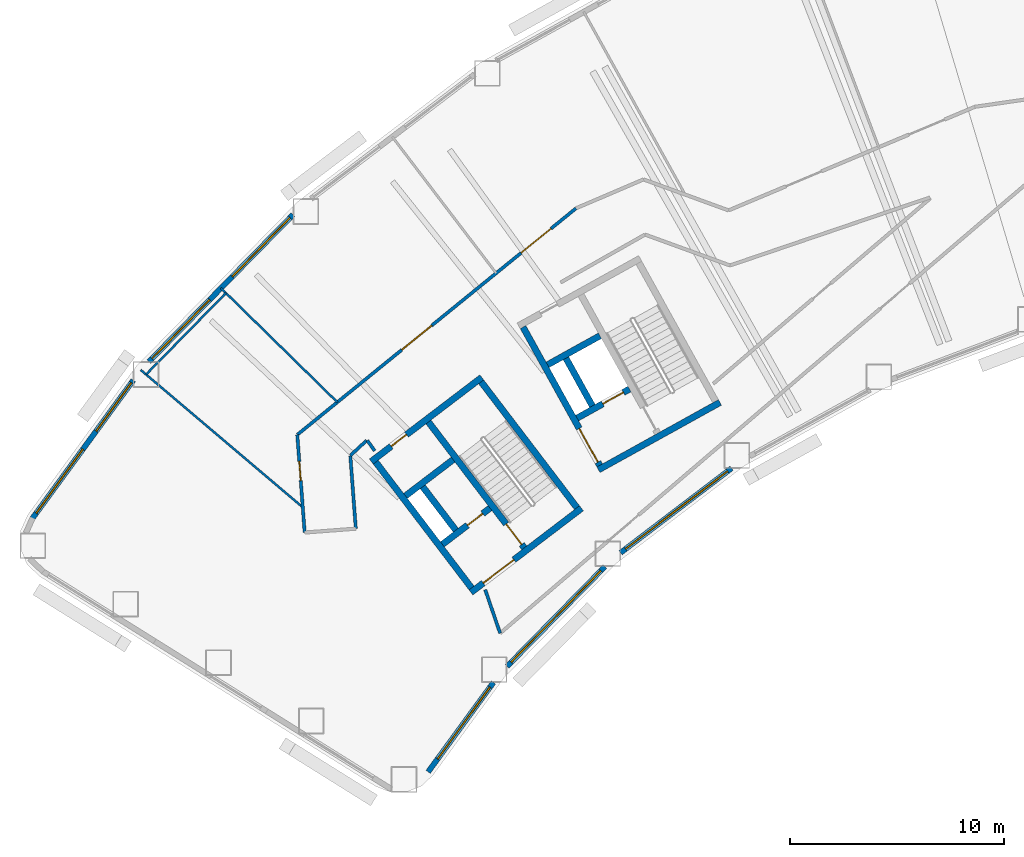
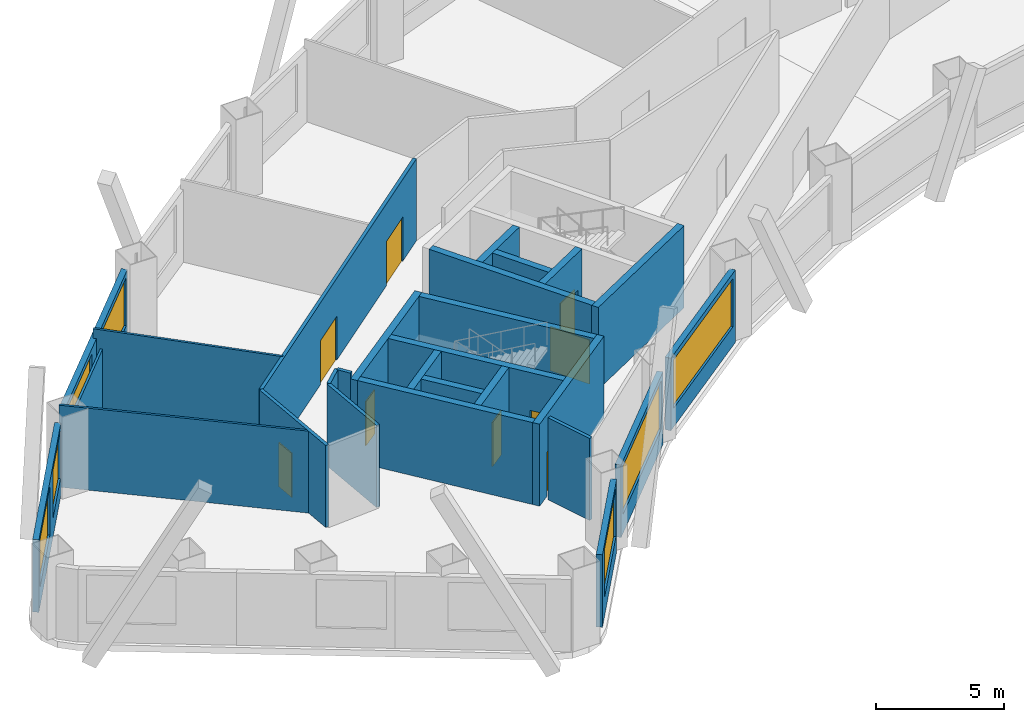
# One storey, part 3 of 11: 27 walls, 9 doors, 7 windows, 16 openings.
"""IFC4 building model written with IfcOpenShell, lengths in metres."""

from ifc_helpers import new_model, si_unit, direction, frame, frame_2d, origin, place, context, subcontext, project, spatial, rectangle, extrude, material, layer, layer_set, type_object, element, fill, save


model = new_model("IFC4")

# Units and contexts
model_context = context("Model", 3, precision=1e-05, world=origin(), true_north=direction((0.0, 1.0)))
body_context = subcontext(model_context, "Body", "Model", "MODEL_VIEW")
ifc_project = project(units=[si_unit("LENGTHUNIT", "METRE"), si_unit("AREAUNIT", "SQUARE_METRE"), si_unit("VOLUMEUNIT", "CUBIC_METRE"), si_unit("PLANEANGLEUNIT", "RADIAN"), si_unit("MASSUNIT", "GRAM", prefix="KILO")], contexts=[model_context])

# Site, building, storey
site_placement = place(None, origin())
site = spatial("IfcSite", under=ifc_project, at=site_placement, CompositionType="ELEMENT")
building_placement = place(site_placement, origin())
building = spatial("IfcBuilding", under=site, at=building_placement, Name="Tuul Gate Civic Tower", CompositionType="ELEMENT")
storey_placement = place(building_placement, frame((0.0, 0.0, 65.39990234375)))
storey = spatial("IfcBuildingStorey", under=building, at=storey_placement, Name="Level 14", CompositionType="ELEMENT", Elevation=65.39990234375)

# Wall, opening, door
ifc_material_1 = material(Name="Concrete C50/60", Category="concrete")
ifc_layer_1 = layer(ifc_material_1, 0.300048828125)
ifc_layer_set_1 = layer_set([ifc_layer_1], Name="Concrete C50/60")
wall_type_1 = type_object("IfcWallType", Name="Core wall C50/60", PredefinedType="SHEAR", material=ifc_layer_set_1)
wall_1_placement = place(storey_placement, frame((-31.19091796875, -13.669677734375, 0.0), z_axis=(0.0, 0.0, 1.0), x_axis=(-0.795606717756, -0.605813461934, 0.0)))
wall_1 = element("IfcWall", 1, at=wall_1_placement, inside=storey, type_object=wall_type_1, Name="Core wall", PredefinedType="SHEAR", context=body_context, shape_type="SweptSolid", body=[
    extrude(rectangle(XDim=6.5, YDim=0.300048828125, at=frame_2d((3.25, 0.0))), origin(), (0.0, 0.0, 1.0), 3.900146484375),
])
opening_1_placement = place(wall_1_placement, frame((3.97509765625, 0.0, 0.0)))
opening_1 = element("IfcOpeningElement", 2, at=opening_1_placement, cuts=wall_1, Name="Opening LB-W1-LOBBY-1", PredefinedType="OPENING", context=body_context, shape_type="SweptSolid", body=[
    extrude(rectangle(XDim=1.800048828125, YDim=2.10009765625, at=frame_2d((0.89990234375, 1.050048828125))), frame((0.0, 0.16015625, 0.0), z_axis=(0.0, -1.0, 0.0), x_axis=(1.0, 0.0, 0.0)), (0.0, 0.0, 1.0), 0.320068359375),
])
ifc_material_2 = material(Name="Steel", Category="steel")
door_type_1 = type_object("IfcDoorType", Name="Lobby door", OperationType="DOUBLE_DOOR_SINGLE_SWING", PredefinedType="DOOR", material=ifc_material_2)
door_1_placement = place(opening_1_placement, origin())
door_1 = element("IfcDoor", 3, at=door_1_placement, inside=storey, type_object=door_type_1, Name="Lobby door W1-LOBBY", OperationType="DOUBLE_DOOR_SINGLE_SWING", OverallHeight=2.10009765625, OverallWidth=1.800048828125, PredefinedType="DOOR", context=body_context, shape_type="SweptSolid", body=[
    extrude(rectangle(XDim=1.800048828125, YDim=2.10009765625, at=frame_2d((0.89990234375, 1.050048828125))), frame((0.0, 0.02490234375, 0.0), z_axis=(0.0, -1.0, 0.0), x_axis=(1.0, 0.0, 0.0)), (0.0, 0.0, 1.0), 0.050048828125),
])
fill(opening_1, door_1)

wall_2_placement = place(storey_placement, frame((-35.470947265625, -13.66064453125, 0.0), z_axis=(0.0, 0.0, 1.0), x_axis=(-0.795615822227, -0.605801504968, 0.0)))
wall_2 = element("IfcWall", 4, at=wall_2_placement, inside=storey, type_object=wall_type_1, Name="Core wall", PredefinedType="SHEAR", context=body_context, shape_type="SweptSolid", body=[
    extrude(rectangle(XDim=2.800048828125, YDim=0.300048828125, at=frame_2d((1.39990234375, 0.0))), origin(), (0.0, 0.0, 1.0), 3.900146484375),
])
opening_2_placement = place(wall_2_placement, frame((0.425048828125, 0.0, 0.0)))
opening_2 = element("IfcOpeningElement", 5, at=opening_2_placement, cuts=wall_2, Name="Opening FB-W1A1", PredefinedType="OPENING", context=body_context, shape_type="SweptSolid", body=[
    extrude(rectangle(XDim=0.89990234375, YDim=2.10009765625, at=frame_2d((0.449951171875, 1.050048828125))), frame((0.0, 0.16015625, 0.0), z_axis=(0.0, -1.0, 0.0), x_axis=(1.0, 0.0, 0.0)), (0.0, 0.0, 1.0), 0.320068359375),
])
ifc_material_3 = material(Name="Steel", Category="steel")
door_type_2 = type_object("IfcDoorType", Name="Store door", OperationType="NOTDEFINED", PredefinedType="DOOR", material=ifc_material_3)
door_2_placement = place(opening_2_placement, frame((0.89990234375, 0.0, 0.0), z_axis=(0.0, 0.0, 1.0), x_axis=(-1.0, 0.0, 0.0)))
door_2 = element("IfcDoor", 6, at=door_2_placement, inside=storey, type_object=door_type_2, Name="Store door W1A1", OperationType="SINGLE_SWING_RIGHT", OverallHeight=2.10009765625, OverallWidth=0.89990234375, PredefinedType="DOOR", context=body_context, shape_type="SweptSolid", body=[
    extrude(rectangle(XDim=0.89990234375, YDim=2.10009765625, at=frame_2d((0.449951171875, 1.050048828125))), frame((0.0, 0.02490234375, 0.0), z_axis=(0.0, -1.0, 0.0), x_axis=(1.0, 0.0, 0.0)), (0.0, 0.0, 1.0), 0.050048828125),
])
fill(opening_2, door_2)

# Wall
wall_3_placement = place(storey_placement, frame((-37.197509765625, -11.39306640625, 0.0), z_axis=(0.0, 0.0, 1.0), x_axis=(-0.795583820278, -0.605843531707, 0.0)))
element("IfcWall", 7, at=wall_3_placement, inside=storey, type_object=wall_type_1, Name="Core wall", PredefinedType="SHEAR", context=body_context, shape_type="SweptSolid", body=[
    extrude(rectangle(XDim=2.7998046875, YDim=0.300048828125, at=frame_2d((1.39990234375, 0.0))), origin(), (0.0, 0.0, 1.0), 3.900146484375),
])

# Wall, opening, door
wall_4_placement = place(storey_placement, frame((-35.855224609375, -7.543212890625, 0.0), z_axis=(0.0, 0.0, 1.0), x_axis=(-0.79563860527, -0.605771582202, 0.0)))
wall_4 = element("IfcWall", 8, at=wall_4_placement, inside=storey, type_object=wall_type_1, Name="Core wall", PredefinedType="SHEAR", context=body_context, shape_type="SweptSolid", body=[
    extrude(rectangle(XDim=6.5, YDim=0.300048828125, at=frame_2d((3.25, 0.0))), origin(), (0.0, 0.0, 1.0), 3.900146484375),
])
opening_3_placement = place(wall_4_placement, frame((4.425048828125, 0.0, 0.0)))
opening_3 = element("IfcOpeningElement", 9, at=opening_3_placement, cuts=wall_4, Name="Opening D-D22", PredefinedType="OPENING", context=body_context, shape_type="SweptSolid", body=[
    extrude(rectangle(XDim=0.89990234375, YDim=2.10009765625, at=frame_2d((0.449951171875, 1.050048828125))), frame((0.0, 0.16015625, 0.0), z_axis=(0.0, -1.0, 0.0), x_axis=(1.0, 0.0, 0.0)), (0.0, 0.0, 1.0), 0.320068359375),
])
ifc_material_4 = material(Name="Timber door leaf", Category="wood")
door_type_3 = type_object("IfcDoorType", Name="Door D09", OperationType="NOTDEFINED", PredefinedType="DOOR", material=ifc_material_4)
door_3_placement = place(opening_3_placement, origin())
door_3 = element("IfcDoor", 10, at=door_3_placement, inside=storey, type_object=door_type_3, Name="Door D-D22", OperationType="SINGLE_SWING_LEFT", OverallHeight=2.10009765625, OverallWidth=0.89990234375, PredefinedType="DOOR", context=body_context, shape_type="SweptSolid", body=[
    extrude(rectangle(XDim=0.89990234375, YDim=2.10009765625, at=frame_2d((0.449951171875, 1.050048828125))), frame((0.0, 0.02490234375, 0.0), z_axis=(0.0, -1.0, 0.0), x_axis=(1.0, 0.0, 0.0)), (0.0, 0.0, 1.0), 0.050048828125),
])
fill(opening_3, door_3)

# Wall
wall_5_placement = place(storey_placement, frame((-31.401123046875, -13.64111328125, 0.0), z_axis=(0.0, 0.0, 1.0), x_axis=(-0.605769822278, 0.795639945213, 0.0)))
element("IfcWall", 11, at=wall_5_placement, inside=storey, type_object=wall_type_1, Name="Core wall", PredefinedType="SHEAR", context=body_context, shape_type="SweptSolid", body=[
    extrude(rectangle(XDim=7.39990234375, YDim=0.300048828125, at=frame_2d((3.699951171875, 0.0))), origin(), (0.0, 0.0, 1.0), 3.900146484375),
])

# Wall, opening, door
wall_6_placement = place(storey_placement, frame((-33.867431640625, -15.51904296875, 0.0), z_axis=(0.0, 0.0, 1.0), x_axis=(-0.605769822278, 0.795639945213, 0.0)))
wall_6 = element("IfcWall", 12, at=wall_6_placement, inside=storey, type_object=wall_type_1, Name="Core wall", PredefinedType="SHEAR", context=body_context, shape_type="SweptSolid", body=[
    extrude(rectangle(XDim=7.39990234375, YDim=0.300048828125, at=frame_2d((3.699951171875, 0.0))), origin(), (0.0, 0.0, 1.0), 3.900146484375),
])
opening_4_placement = place(wall_6_placement, frame((0.199951171875, 0.0, 0.0)))
opening_4 = element("IfcOpeningElement", 13, at=opening_4_placement, cuts=wall_6, Name="Opening SD-ST-1", PredefinedType="OPENING", context=body_context, shape_type="SweptSolid", body=[
    extrude(rectangle(XDim=1.199951171875, YDim=2.10009765625, at=frame_2d((0.60009765625, 1.050048828125))), frame((0.0, 0.16015625, 0.0), z_axis=(0.0, -1.0, 0.0), x_axis=(1.0, 0.0, 0.0)), (0.0, 0.0, 1.0), 0.320068359375),
])
ifc_material_5 = material(Name="Steel", Category="steel")
door_type_4 = type_object("IfcDoorType", Name="Stair door", OperationType="NOTDEFINED", PredefinedType="DOOR", material=ifc_material_5)
door_4_placement = place(opening_4_placement, origin())
door_4 = element("IfcDoor", 14, at=door_4_placement, inside=storey, type_object=door_type_4, Name="Stair door ST-1", OperationType="SINGLE_SWING_LEFT", OverallHeight=2.10009765625, OverallWidth=1.199951171875, PredefinedType="DOOR", context=body_context, shape_type="SweptSolid", body=[
    extrude(rectangle(XDim=1.199951171875, YDim=2.10009765625, at=frame_2d((0.60009765625, 1.050048828125))), frame((0.0, 0.02490234375, 0.0), z_axis=(0.0, -1.0, 0.0), x_axis=(1.0, 0.0, 0.0)), (0.0, 0.0, 1.0), 0.050048828125),
])
fill(opening_4, door_4)

# Walls
wall_7_placement = place(storey_placement, frame((-37.073486328125, -14.6923828125, 0.0), z_axis=(0.0, 0.0, 1.0), x_axis=(-0.605728760074, 0.79567120673, 0.0)))
element("IfcWall", 15, at=wall_7_placement, inside=storey, type_object=wall_type_1, Name="Core wall", PredefinedType="SHEAR", context=body_context, shape_type="SweptSolid", body=[
    extrude(rectangle(XDim=2.550048828125, YDim=0.300048828125, at=frame_2d((1.27490234375, 0.0))), origin(), (0.0, 0.0, 1.0), 3.900146484375),
])
wall_8_placement = place(storey_placement, frame((-36.333984375, -17.397216796875, 0.0), z_axis=(0.0, 0.0, 1.0), x_axis=(-0.605753921168, 0.795652051458, 0.0)))
element("IfcWall", 16, at=wall_8_placement, inside=storey, type_object=wall_type_1, Name="Core wall", PredefinedType="SHEAR", context=body_context, shape_type="SweptSolid", body=[
    extrude(rectangle(XDim=7.400146484375, YDim=0.300048828125, at=frame_2d((3.7001953125, 0.0))), origin(), (0.0, 0.0, 1.0), 3.900146484375),
])
wall_9_placement = place(storey_placement, frame((-24.711669921875, -8.7158203125, 0.0), z_axis=(0.0, 0.0, 1.0), x_axis=(-0.874629909008, -0.484791215132, 0.0)))
element("IfcWall", 17, at=wall_9_placement, inside=storey, type_object=wall_type_1, Name="Core wall", PredefinedType="SHEAR", context=body_context, shape_type="SweptSolid", body=[
    extrude(rectangle(XDim=6.5, YDim=0.300048828125, at=frame_2d((3.25, 0.0))), origin(), (0.0, 0.0, 1.0), 3.900146484375),
])

# Wall, opening, door
wall_10_placement = place(storey_placement, frame((-28.94580078125, -8.090087890625, 0.0), z_axis=(0.0, 0.0, 1.0), x_axis=(-0.874629840737, -0.484791338301, 0.0)))
wall_10 = element("IfcWall", 18, at=wall_10_placement, inside=storey, type_object=wall_type_1, Name="Core wall", PredefinedType="SHEAR", context=body_context, shape_type="SweptSolid", body=[
    extrude(rectangle(XDim=2.800048828125, YDim=0.300048828125, at=frame_2d((1.39990234375, 0.0))), origin(), (0.0, 0.0, 1.0), 3.900146484375),
])
opening_5_placement = place(wall_10_placement, frame((0.324951171875, 0.0, 0.0)))
opening_5 = element("IfcOpeningElement", 19, at=opening_5_placement, cuts=wall_10, Name="Opening LD-FF-1", PredefinedType="OPENING", context=body_context, shape_type="SweptSolid", body=[
    extrude(rectangle(XDim=1.10009765625, YDim=2.10009765625, at=frame_2d((0.550048828125, 1.050048828125))), frame((0.0, 0.16015625, 0.0), z_axis=(0.0, -1.0, 0.0), x_axis=(1.0, 0.0, 0.0)), (0.0, 0.0, 1.0), 0.320068359375),
])
ifc_material_6 = material(Name="Stainless steel", Category="steel")
door_type_5 = type_object("IfcDoorType", Name="Landing door", OperationType="DOUBLE_DOOR_SLIDING", PredefinedType="DOOR", material=ifc_material_6)
door_5_placement = place(opening_5_placement, origin())
door_5 = element("IfcDoor", 20, at=door_5_placement, inside=storey, type_object=door_type_5, Name="Fire-fighting lift FF-1 landing door", OperationType="DOUBLE_DOOR_SLIDING", OverallHeight=2.10009765625, OverallWidth=1.10009765625, PredefinedType="DOOR", context=body_context, shape_type="SweptSolid", body=[
    extrude(rectangle(XDim=1.10009765625, YDim=2.10009765625, at=frame_2d((0.550048828125, 1.050048828125))), frame((0.0, 0.02490234375, 0.0), z_axis=(0.0, -1.0, 0.0), x_axis=(1.0, 0.0, 0.0)), (0.0, 0.0, 1.0), 0.050048828125),
])
fill(opening_5, door_5)

# Walls
wall_11_placement = place(storey_placement, frame((-30.327392578125, -5.59716796875, 0.0), z_axis=(0.0, 0.0, 1.0), x_axis=(-0.874629840737, -0.484791338301, 0.0)))
element("IfcWall", 21, at=wall_11_placement, inside=storey, type_object=wall_type_1, Name="Core wall", PredefinedType="SHEAR", context=body_context, shape_type="SweptSolid", body=[
    extrude(rectangle(XDim=2.800048828125, YDim=0.300048828125, at=frame_2d((1.39990234375, 0.0))), origin(), (0.0, 0.0, 1.0), 3.900146484375),
])
wall_12_placement = place(storey_placement, frame((-30.680419921875, -8.8798828125, 0.0), z_axis=(0.0, 0.0, 1.0), x_axis=(-0.484724115216, 0.874667097888, 0.0)))
element("IfcWall", 22, at=wall_12_placement, inside=storey, type_object=wall_type_1, Name="Core wall", PredefinedType="SHEAR", context=body_context, shape_type="SweptSolid", body=[
    extrude(rectangle(XDim=2.550048828125, YDim=0.300048828125, at=frame_2d((1.27490234375, 0.0))), origin(), (0.0, 0.0, 1.0), 3.900146484375),
])

# Wall, opening, door
wall_13_placement = place(storey_placement, frame((-30.33837890625, -11.6630859375, 0.0), z_axis=(0.0, 0.0, 1.0), x_axis=(-0.484751894226, 0.874651702704, 0.0)))
wall_13 = element("IfcWall", 23, at=wall_13_placement, inside=storey, type_object=wall_type_1, Name="Core wall", PredefinedType="SHEAR", context=body_context, shape_type="SweptSolid", body=[
    extrude(rectangle(XDim=7.39990234375, YDim=0.300048828125, at=frame_2d((3.699951171875, 0.0))), origin(), (0.0, 0.0, 1.0), 3.900146484375),
])
opening_6_placement = place(wall_13_placement, frame((0.175048828125, 0.0, 0.0)))
opening_6 = element("IfcOpeningElement", 24, at=opening_6_placement, cuts=wall_13, Name="Opening LB-W2-FLOBBY-1", PredefinedType="OPENING", context=body_context, shape_type="SweptSolid", body=[
    extrude(rectangle(XDim=1.800048828125, YDim=2.10009765625, at=frame_2d((0.89990234375, 1.050048828125))), frame((0.0, 0.16015625, 0.0), z_axis=(0.0, -1.0, 0.0), x_axis=(1.0, 0.0, 0.0)), (0.0, 0.0, 1.0), 0.320068359375),
])
door_6_placement = place(opening_6_placement, origin())
door_6 = element("IfcDoor", 25, at=door_6_placement, inside=storey, type_object=door_type_1, Name="Lobby door W2-FLOBBY", OperationType="DOUBLE_DOOR_SINGLE_SWING", OverallHeight=2.10009765625, OverallWidth=1.800048828125, PredefinedType="DOOR", context=body_context, shape_type="SweptSolid", body=[
    extrude(rectangle(XDim=1.800048828125, YDim=2.10009765625, at=frame_2d((0.89990234375, 1.050048828125))), frame((0.0, 0.02490234375, 0.0), z_axis=(0.0, -1.0, 0.0), x_axis=(1.0, 0.0, 0.0)), (0.0, 0.0, 1.0), 0.050048828125),
])
fill(opening_6, door_6)

# Wall, openings, doors
ifc_material_7 = material(Name="Gypsum board partition")
ifc_layer_2 = layer(ifc_material_7, 0.14990234375)
ifc_layer_set_2 = layer_set([ifc_layer_2], Name="Gypsum board partition")
wall_type_2 = type_object("IfcWallType", Name="Corridor wall P150", PredefinedType="PARTITIONING", material=ifc_layer_set_2)
wall_14_placement = place(storey_placement, frame((-44.48828125, -10.22802734375, 0.0), z_axis=(0.0, 0.0, 1.0), x_axis=(0.776130444, 0.630572385929, 0.0)))
wall_14 = element("IfcWall", 26, at=wall_14_placement, inside=storey, type_object=wall_type_2, Name="p034", PredefinedType="PARTITIONING", context=body_context, shape_type="SweptSolid", body=[
    extrude(rectangle(XDim=16.802978515625, YDim=0.14990234375, at=frame_2d((8.4013671875, 0.0))), origin(), (0.0, 0.0, 1.0), 3.900146484375),
])
opening_7_placement = place(wall_14_placement, frame((13.49609375, 0.0, 0.0)))
opening_7 = element("IfcOpeningElement", 27, at=opening_7_placement, cuts=wall_14, Name="Opening D-D10", PredefinedType="OPENING", context=body_context, shape_type="SweptSolid", body=[
    extrude(rectangle(XDim=1.800048828125, YDim=2.10009765625, at=frame_2d((0.89990234375, 1.050048828125))), frame((0.0, 0.0849609375, 0.0), z_axis=(0.0, -1.0, 0.0), x_axis=(1.0, 0.0, 0.0)), (0.0, 0.0, 1.0), 0.169921875),
])
opening_8_placement = place(wall_14_placement, frame((6.3017578125, 0.0, 0.0)))
opening_8 = element("IfcOpeningElement", 28, at=opening_8_placement, cuts=wall_14, Name="Opening D-D11", PredefinedType="OPENING", context=body_context, shape_type="SweptSolid", body=[
    extrude(rectangle(XDim=1.800048828125, YDim=2.10009765625, at=frame_2d((0.89990234375, 1.050048828125))), frame((0.0, 0.0849609375, 0.0), z_axis=(0.0, -1.0, 0.0), x_axis=(1.0, 0.0, 0.0)), (0.0, 0.0, 1.0), 0.169921875),
])
ifc_material_8 = material(Name="Timber door leaf, double", Category="wood")
door_type_6 = type_object("IfcDoorType", Name="Door D18", OperationType="DOUBLE_DOOR_SINGLE_SWING", PredefinedType="DOOR", material=ifc_material_8)
door_7_placement = place(opening_7_placement, origin())
door_7 = element("IfcDoor", 29, at=door_7_placement, inside=storey, type_object=door_type_6, Name="Door D-D10", OperationType="DOUBLE_DOOR_SINGLE_SWING", OverallHeight=2.10009765625, OverallWidth=1.800048828125, PredefinedType="DOOR", context=body_context, shape_type="SweptSolid", body=[
    extrude(rectangle(XDim=1.800048828125, YDim=2.10009765625, at=frame_2d((0.89990234375, 1.050048828125))), frame((0.0, 0.02490234375, 0.0), z_axis=(0.0, -1.0, 0.0), x_axis=(1.0, 0.0, 0.0)), (0.0, 0.0, 1.0), 0.050048828125),
])
fill(opening_7, door_7)
door_8_placement = place(opening_8_placement, origin())
door_8 = element("IfcDoor", 30, at=door_8_placement, inside=storey, type_object=door_type_6, Name="Door D-D11", OperationType="DOUBLE_DOOR_SINGLE_SWING", OverallHeight=2.10009765625, OverallWidth=1.800048828125, PredefinedType="DOOR", context=body_context, shape_type="SweptSolid", body=[
    extrude(rectangle(XDim=1.800048828125, YDim=2.10009765625, at=frame_2d((0.89990234375, 1.050048828125))), frame((0.0, 0.02490234375, 0.0), z_axis=(0.0, -1.0, 0.0), x_axis=(1.0, 0.0, 0.0)), (0.0, 0.0, 1.0), 0.050048828125),
])
fill(opening_8, door_8)

# Wall, opening, door
wall_15_placement = place(storey_placement, frame((-44.48876953125, -10.228759765625, 0.0), z_axis=(0.0, 0.0, 1.0), x_axis=(0.075353514001, -0.997156882305, 0.0)))
wall_15 = element("IfcWall", 31, at=wall_15_placement, inside=storey, type_object=wall_type_2, Name="p037", PredefinedType="PARTITIONING", context=body_context, shape_type="SweptSolid", body=[
    extrude(rectangle(XDim=4.587646484375, YDim=0.14990234375, at=frame_2d((2.2939453125, 0.0))), origin(), (0.0, 0.0, 1.0), 3.900146484375),
])
opening_9_placement = place(wall_15_placement, frame((1.252197265625, 0.0, 0.0)))
opening_9 = element("IfcOpeningElement", 32, at=opening_9_placement, cuts=wall_15, Name="Opening D-D12", PredefinedType="OPENING", context=body_context, shape_type="SweptSolid", body=[
    extrude(rectangle(XDim=0.89990234375, YDim=2.10009765625, at=frame_2d((0.449951171875, 1.050048828125))), frame((0.0, 0.0849609375, 0.0), z_axis=(0.0, -1.0, 0.0), x_axis=(1.0, 0.0, 0.0)), (0.0, 0.0, 1.0), 0.169921875),
])
door_9_placement = place(opening_9_placement, frame((0.89990234375, 0.0, 0.0), z_axis=(0.0, 0.0, 1.0), x_axis=(-1.0, 0.0, 0.0)))
door_9 = element("IfcDoor", 33, at=door_9_placement, inside=storey, type_object=door_type_3, Name="Door D-D12", OperationType="SINGLE_SWING_LEFT", OverallHeight=2.10009765625, OverallWidth=0.89990234375, PredefinedType="DOOR", context=body_context, shape_type="SweptSolid", body=[
    extrude(rectangle(XDim=0.89990234375, YDim=2.10009765625, at=frame_2d((0.449951171875, 1.050048828125))), frame((0.0, 0.02490234375, 0.0), z_axis=(0.0, -1.0, 0.0), x_axis=(1.0, 0.0, 0.0)), (0.0, 0.0, 1.0), 0.050048828125),
])
fill(opening_9, door_9)

# Walls
wall_16_placement = place(storey_placement, frame((-42.00732421875, -11.208740234375, 0.0), z_axis=(0.0, 0.0, 1.0), x_axis=(0.075158670827, -0.99717158714, 0.0)))
element("IfcWall", 34, at=wall_16_placement, inside=storey, type_object=wall_type_2, Name="p052", PredefinedType="PARTITIONING", context=body_context, shape_type="SweptSolid", body=[
    extrude(rectangle(XDim=3.423828125, YDim=0.14990234375, at=frame_2d((1.7119140625, 0.0))), origin(), (0.0, 0.0, 1.0), 3.900146484375),
])
wall_17_placement = place(storey_placement, frame((-42.001220703125, -11.196533203125, 0.0), z_axis=(0.0, 0.0, 1.0), x_axis=(0.734125855073, 0.67901342322, 0.0)))
element("IfcWall", 35, at=wall_17_placement, inside=storey, type_object=wall_type_2, Name="p053", PredefinedType="PARTITIONING", context=body_context, shape_type="SweptSolid", body=[
    extrude(rectangle(XDim=1.03662109375, YDim=0.14990234375, at=frame_2d((0.518310546875, 0.0))), origin(), (0.0, 0.0, 1.0), 3.900146484375),
])
wall_18_placement = place(storey_placement, frame((-41.210205078125, -10.49560546875, 0.0), z_axis=(0.0, 0.0, 1.0), x_axis=(0.577664654884, -0.816274185858, 0.0)))
element("IfcWall", 36, at=wall_18_placement, inside=storey, type_object=wall_type_2, Name="p054", PredefinedType="PARTITIONING", context=body_context, shape_type="SweptSolid", body=[
    extrude(rectangle(XDim=0.595458984375, YDim=0.14990234375, at=frame_2d((0.2978515625, 0.0))), origin(), (0.0, 0.0, 1.0), 3.900146484375),
])
wall_19_placement = place(storey_placement, frame((-35.69580078125, -17.476806640625, 0.0), z_axis=(0.0, 0.0, 1.0), x_axis=(0.32436774189, -0.94593105881, 0.0)))
element("IfcWall", 37, at=wall_19_placement, inside=storey, type_object=wall_type_2, Name="p055", PredefinedType="PARTITIONING", context=body_context, shape_type="SweptSolid", body=[
    extrude(rectangle(XDim=2.156494140625, YDim=0.14990234375, at=frame_2d((1.078125, 0.0))), origin(), (0.0, 0.0, 1.0), 3.900146484375),
])

# Wall, openings, windows
ifc_material_9 = material(Name="Precast concrete C40/50", Category="concrete")
ifc_layer_3 = layer(ifc_material_9, 0.25)
ifc_layer_set_3 = layer_set([ifc_layer_3], Name="Precast concrete C40/50")
wall_type_3 = type_object("IfcWallType", Name="External wall", PredefinedType="STANDARD", material=ifc_layer_set_3)
wall_20_placement = place(storey_placement, frame((-44.68896484375, 0.068359375, 0.0), z_axis=(0.0, 0.0, 1.0), x_axis=(-0.700037194481, -0.714106383072, 0.0)))
wall_20 = element("IfcWall", 38, at=wall_20_placement, inside=storey, type_object=wall_type_3, Name="External wall", PredefinedType="STANDARD", context=body_context, shape_type="SweptSolid", body=[
    extrude(rectangle(XDim=9.630859375, YDim=0.25, at=frame_2d((4.8154296875, 0.0))), origin(), (0.0, 0.0, 1.0), 3.4501953125),
])
opening_10_placement = place(wall_20_placement, frame((0.203125, 0.0, 0.89990234375)))
opening_10 = element("IfcOpeningElement", 39, at=opening_10_placement, cuts=wall_20, Name="Opening W22", PredefinedType="OPENING", context=body_context, shape_type="SweptSolid", body=[
    extrude(rectangle(XDim=3.85009765625, YDim=2.300048828125, at=frame_2d((1.925048828125, 1.14990234375))), frame((0.0, 0.135009765625, 0.0), z_axis=(0.0, -1.0, 0.0), x_axis=(1.0, 0.0, 0.0)), (0.0, 0.0, 1.0), 0.27001953125),
])
opening_11_placement = place(wall_20_placement, frame((5.57421875, 0.0, 0.89990234375)))
opening_11 = element("IfcOpeningElement", 40, at=opening_11_placement, cuts=wall_20, Name="Opening W22", PredefinedType="OPENING", context=body_context, shape_type="SweptSolid", body=[
    extrude(rectangle(XDim=3.85009765625, YDim=2.300048828125, at=frame_2d((1.925048828125, 1.14990234375))), frame((0.0, 0.135009765625, 0.0), z_axis=(0.0, -1.0, 0.0), x_axis=(1.0, 0.0, 0.0)), (0.0, 0.0, 1.0), 0.27001953125),
])
ifc_material_10 = material(Name="Glass", Category="glass")
window_type_1 = type_object("IfcWindowType", Name="Window W22 3850 x 2300", PartitioningType="SINGLE_PANEL", PredefinedType="WINDOW", material=ifc_material_10)
window_1_placement = place(opening_10_placement, origin())
window_1 = element("IfcWindow", 41, at=window_1_placement, inside=storey, type_object=window_type_1, Name="Window", OverallHeight=2.300048828125, OverallWidth=3.85009765625, PartitioningType="SINGLE_PANEL", PredefinedType="WINDOW", context=body_context, shape_type="SweptSolid", body=[
    extrude(rectangle(XDim=3.85009765625, YDim=2.300048828125, at=frame_2d((1.925048828125, 1.14990234375))), frame((0.0, 0.030029296875, 0.0), z_axis=(0.0, -1.0, 0.0), x_axis=(1.0, 0.0, 0.0)), (0.0, 0.0, 1.0), 0.06005859375),
])
fill(opening_10, window_1)
window_2_placement = place(opening_11_placement, origin())
window_2 = element("IfcWindow", 42, at=window_2_placement, inside=storey, type_object=window_type_1, Name="Window", OverallHeight=2.300048828125, OverallWidth=3.85009765625, PartitioningType="SINGLE_PANEL", PredefinedType="WINDOW", context=body_context, shape_type="SweptSolid", body=[
    extrude(rectangle(XDim=3.85009765625, YDim=2.300048828125, at=frame_2d((1.925048828125, 1.14990234375))), frame((0.0, 0.030029296875, 0.0), z_axis=(0.0, -1.0, 0.0), x_axis=(1.0, 0.0, 0.0)), (0.0, 0.0, 1.0), 0.06005859375),
])
fill(opening_11, window_2)

wall_21_placement = place(storey_placement, frame((-52.1640625, -7.679443359375, 0.0), z_axis=(0.0, 0.0, 1.0), x_axis=(-0.589758648629, -0.807579554204, 0.0)))
wall_21 = element("IfcWall", 43, at=wall_21_placement, inside=storey, type_object=wall_type_3, Name="External wall", PredefinedType="STANDARD", context=body_context, shape_type="SweptSolid", body=[
    extrude(rectangle(XDim=7.998291015625, YDim=0.25, at=frame_2d((3.9990234375, 0.0))), origin(), (0.0, 0.0, 1.0), 3.4501953125),
])
opening_12_placement = place(wall_21_placement, frame((0.145751953125, 0.0, 0.89990234375)))
opening_12 = element("IfcOpeningElement", 44, at=opening_12_placement, cuts=wall_21, Name="Opening W23", PredefinedType="OPENING", context=body_context, shape_type="SweptSolid", body=[
    extrude(rectangle(XDim=2.800048828125, YDim=2.300048828125, at=frame_2d((1.39990234375, 1.14990234375))), frame((0.0, 0.135009765625, 0.0), z_axis=(0.0, -1.0, 0.0), x_axis=(1.0, 0.0, 0.0)), (0.0, 0.0, 1.0), 0.27001953125),
])
opening_13_placement = place(wall_21_placement, frame((3.997314453125, 0.0, 0.89990234375)))
opening_13 = element("IfcOpeningElement", 45, at=opening_13_placement, cuts=wall_21, Name="Opening W21", PredefinedType="OPENING", context=body_context, shape_type="SweptSolid", body=[
    extrude(rectangle(XDim=3.699951171875, YDim=2.300048828125, at=frame_2d((1.85009765625, 1.14990234375))), frame((0.0, 0.135009765625, 0.0), z_axis=(0.0, -1.0, 0.0), x_axis=(1.0, 0.0, 0.0)), (0.0, 0.0, 1.0), 0.27001953125),
])
ifc_material_11 = material(Name="Glass", Category="glass")
window_type_2 = type_object("IfcWindowType", Name="Window W21 3700 x 2300", PartitioningType="SINGLE_PANEL", PredefinedType="WINDOW", material=ifc_material_11)
window_3_placement = place(opening_13_placement, origin())
window_3 = element("IfcWindow", 46, at=window_3_placement, inside=storey, type_object=window_type_2, Name="Window", OverallHeight=2.300048828125, OverallWidth=3.699951171875, PartitioningType="SINGLE_PANEL", PredefinedType="WINDOW", context=body_context, shape_type="SweptSolid", body=[
    extrude(rectangle(XDim=3.699951171875, YDim=2.300048828125, at=frame_2d((1.85009765625, 1.14990234375))), frame((0.0, 0.030029296875, 0.0), z_axis=(0.0, -1.0, 0.0), x_axis=(1.0, 0.0, 0.0)), (0.0, 0.0, 1.0), 0.06005859375),
])
fill(opening_13, window_3)
ifc_material_12 = material(Name="Glass", Category="glass")
window_type_3 = type_object("IfcWindowType", Name="Window W23 2800 x 2300", PartitioningType="SINGLE_PANEL", PredefinedType="WINDOW", material=ifc_material_12)
window_4_placement = place(opening_12_placement, origin())
window_4 = element("IfcWindow", 47, at=window_4_placement, inside=storey, type_object=window_type_3, Name="Window", OverallHeight=2.300048828125, OverallWidth=2.800048828125, PartitioningType="SINGLE_PANEL", PredefinedType="WINDOW", context=body_context, shape_type="SweptSolid", body=[
    extrude(rectangle(XDim=2.800048828125, YDim=2.300048828125, at=frame_2d((1.39990234375, 1.14990234375))), frame((0.0, 0.030029296875, 0.0), z_axis=(0.0, -1.0, 0.0), x_axis=(1.0, 0.0, 0.0)), (0.0, 0.0, 1.0), 0.06005859375),
])
fill(opening_12, window_4)

# Wall, opening, window
wall_22_placement = place(storey_placement, frame((-38.364990234375, -26.002197265625, 0.0), z_axis=(0.0, 0.0, 1.0), x_axis=(0.589773184558, 0.807568938715, 0.0)))
wall_22 = element("IfcWall", 48, at=wall_22_placement, inside=storey, type_object=wall_type_3, Name="External wall", PredefinedType="STANDARD", context=body_context, shape_type="SweptSolid", body=[
    extrude(rectangle(XDim=5.18115234375, YDim=0.25, at=frame_2d((2.590576171875, 0.0))), origin(), (0.0, 0.0, 1.0), 3.4501953125),
])
opening_14_placement = place(wall_22_placement, frame((0.75244140625, 0.0, 0.89990234375)))
opening_14 = element("IfcOpeningElement", 49, at=opening_14_placement, cuts=wall_22, Name="Opening W25", PredefinedType="OPENING", context=body_context, shape_type="SweptSolid", body=[
    extrude(rectangle(XDim=4.14990234375, YDim=2.300048828125, at=frame_2d((2.074951171875, 1.14990234375))), frame((0.0, 0.135009765625, 0.0), z_axis=(0.0, -1.0, 0.0), x_axis=(1.0, 0.0, 0.0)), (0.0, 0.0, 1.0), 0.27001953125),
])
ifc_material_13 = material(Name="Glass", Category="glass")
window_type_4 = type_object("IfcWindowType", Name="Window W25 4150 x 2300", PartitioningType="SINGLE_PANEL", PredefinedType="WINDOW", material=ifc_material_13)
window_5_placement = place(opening_14_placement, origin())
window_5 = element("IfcWindow", 50, at=window_5_placement, inside=storey, type_object=window_type_4, Name="Window", OverallHeight=2.300048828125, OverallWidth=4.14990234375, PartitioningType="SINGLE_PANEL", PredefinedType="WINDOW", context=body_context, shape_type="SweptSolid", body=[
    extrude(rectangle(XDim=4.14990234375, YDim=2.300048828125, at=frame_2d((2.074951171875, 1.14990234375))), frame((0.0, 0.030029296875, 0.0), z_axis=(0.0, -1.0, 0.0), x_axis=(1.0, 0.0, 0.0)), (0.0, 0.0, 1.0), 0.06005859375),
])
fill(opening_14, window_5)

wall_23_placement = place(storey_placement, frame((-34.673095703125, -21.0693359375, 0.0), z_axis=(0.0, 0.0, 1.0), x_axis=(0.700096771337, 0.714047975114, 0.0)))
wall_23 = element("IfcWall", 51, at=wall_23_placement, inside=storey, type_object=wall_type_3, Name="External wall", PredefinedType="STANDARD", context=body_context, shape_type="SweptSolid", body=[
    extrude(rectangle(XDim=6.544921875, YDim=0.25, at=frame_2d((3.2724609375, 0.0))), origin(), (0.0, 0.0, 1.0), 3.4501953125),
])
opening_15_placement = place(wall_23_placement, frame((0.269775390625, 0.0, 0.89990234375)))
opening_15 = element("IfcOpeningElement", 52, at=opening_15_placement, cuts=wall_23, Name="Opening W26", PredefinedType="OPENING", context=body_context, shape_type="SweptSolid", body=[
    extrude(rectangle(XDim=6.0, YDim=2.300048828125, at=frame_2d((3.0, 1.14990234375))), frame((0.0, 0.135009765625, 0.0), z_axis=(0.0, -1.0, 0.0), x_axis=(1.0, 0.0, 0.0)), (0.0, 0.0, 1.0), 0.27001953125),
])
ifc_material_14 = material(Name="Glass", Category="glass")
window_type_5 = type_object("IfcWindowType", Name="Window W26 6000 x 2300", PartitioningType="SINGLE_PANEL", PredefinedType="WINDOW", material=ifc_material_14)
window_6_placement = place(opening_15_placement, origin())
window_6 = element("IfcWindow", 53, at=window_6_placement, inside=storey, type_object=window_type_5, Name="Window", OverallHeight=2.300048828125, OverallWidth=6.0, PartitioningType="SINGLE_PANEL", PredefinedType="WINDOW", context=body_context, shape_type="SweptSolid", body=[
    extrude(rectangle(XDim=6.0, YDim=2.300048828125, at=frame_2d((3.0, 1.14990234375))), frame((0.0, 0.030029296875, 0.0), z_axis=(0.0, -1.0, 0.0), x_axis=(1.0, 0.0, 0.0)), (0.0, 0.0, 1.0), 0.06005859375),
])
fill(opening_15, window_6)

wall_24_placement = place(storey_placement, frame((-29.35791015625, -15.747802734375, 0.0), z_axis=(0.0, 0.0, 1.0), x_axis=(0.7955846747, 0.605842409694, 0.0)))
wall_24 = element("IfcWall", 54, at=wall_24_placement, inside=storey, type_object=wall_type_3, Name="External wall", PredefinedType="STANDARD", context=body_context, shape_type="SweptSolid", body=[
    extrude(rectangle(XDim=6.52099609375, YDim=0.25, at=frame_2d((3.260498046875, 0.0))), origin(), (0.0, 0.0, 1.0), 3.4501953125),
])
opening_16_placement = place(wall_24_placement, frame((0.28857421875, 0.0, 0.89990234375)))
opening_16 = element("IfcOpeningElement", 55, at=opening_16_placement, cuts=wall_24, Name="Opening W26", PredefinedType="OPENING", context=body_context, shape_type="SweptSolid", body=[
    extrude(rectangle(XDim=6.0, YDim=2.300048828125, at=frame_2d((3.0, 1.14990234375))), frame((0.0, 0.135009765625, 0.0), z_axis=(0.0, -1.0, 0.0), x_axis=(1.0, 0.0, 0.0)), (0.0, 0.0, 1.0), 0.27001953125),
])
window_7_placement = place(opening_16_placement, origin())
window_7 = element("IfcWindow", 56, at=window_7_placement, inside=storey, type_object=window_type_5, Name="Window", OverallHeight=2.300048828125, OverallWidth=6.0, PartitioningType="SINGLE_PANEL", PredefinedType="WINDOW", context=body_context, shape_type="SweptSolid", body=[
    extrude(rectangle(XDim=6.0, YDim=2.300048828125, at=frame_2d((3.0, 1.14990234375))), frame((0.0, 0.030029296875, 0.0), z_axis=(0.0, -1.0, 0.0), x_axis=(1.0, 0.0, 0.0)), (0.0, 0.0, 1.0), 0.06005859375),
])
fill(opening_16, window_7)

# Walls
ifc_material_15 = material(Name="Gypsum board partition")
ifc_layer_4 = layer(ifc_material_15, 0.10009765625)
ifc_layer_set_4 = layer_set([ifc_layer_4], Name="Gypsum board partition")
wall_type_4 = type_object("IfcWallType", Name="Partition P100", PredefinedType="PARTITIONING", material=ifc_layer_set_4)
wall_25_placement = place(storey_placement, frame((-48.062255859375, -3.365478515625, 0.0), z_axis=(0.0, 0.0, 1.0), x_axis=(0.714128361673, -0.700014773455, 0.0)))
element("IfcWall", 57, at=wall_25_placement, inside=storey, type_object=wall_type_4, Name="p035", PredefinedType="PARTITIONING", context=body_context, shape_type="SweptSolid", body=[
    extrude(rectangle(XDim=7.62841796875, YDim=0.10009765625, at=frame_2d((3.814208984375, 0.0))), origin(), (0.0, 0.0, 1.0), 3.900146484375),
])
wall_26_placement = place(storey_placement, frame((-51.81640625, -7.19482421875, 0.0), z_axis=(0.0, 0.0, 1.0), x_axis=(0.762828056361, -0.646601389133, 0.0)))
element("IfcWall", 58, at=wall_26_placement, inside=storey, type_object=wall_type_4, Name="p036", PredefinedType="PARTITIONING", context=body_context, shape_type="SweptSolid", body=[
    extrude(rectangle(XDim=9.94189453125, YDim=0.10009765625, at=frame_2d((4.970947265625, 0.0))), origin(), (0.0, 0.0, 1.0), 3.900146484375),
])
ifc_material_16 = material(Name="Gypsum board partition")
ifc_layer_5 = layer(ifc_material_16, 0.10009765625)
ifc_layer_set_5 = layer_set([ifc_layer_5], Name="Gypsum board partition")
wall_type_5 = type_object("IfcWallType", Name="Partition P100 3000 HIGH", PredefinedType="PARTITIONING", material=ifc_layer_set_5)
wall_27_placement = place(storey_placement, frame((-51.563720703125, -7.40869140625, 0.0), z_axis=(0.0, 0.0, 1.0), x_axis=(0.700052207362, 0.714091665662, 0.0)))
element("IfcWall", 59, at=wall_27_placement, inside=storey, type_object=wall_type_5, Name="p065", PredefinedType="PARTITIONING", context=body_context, shape_type="SweptSolid", body=[
    extrude(rectangle(XDim=5.338623046875, YDim=0.10009765625, at=frame_2d((2.66943359375, 0.0))), origin(), (0.0, 0.0, 1.0), 3.0),
])

save(model, "model.ifc")
